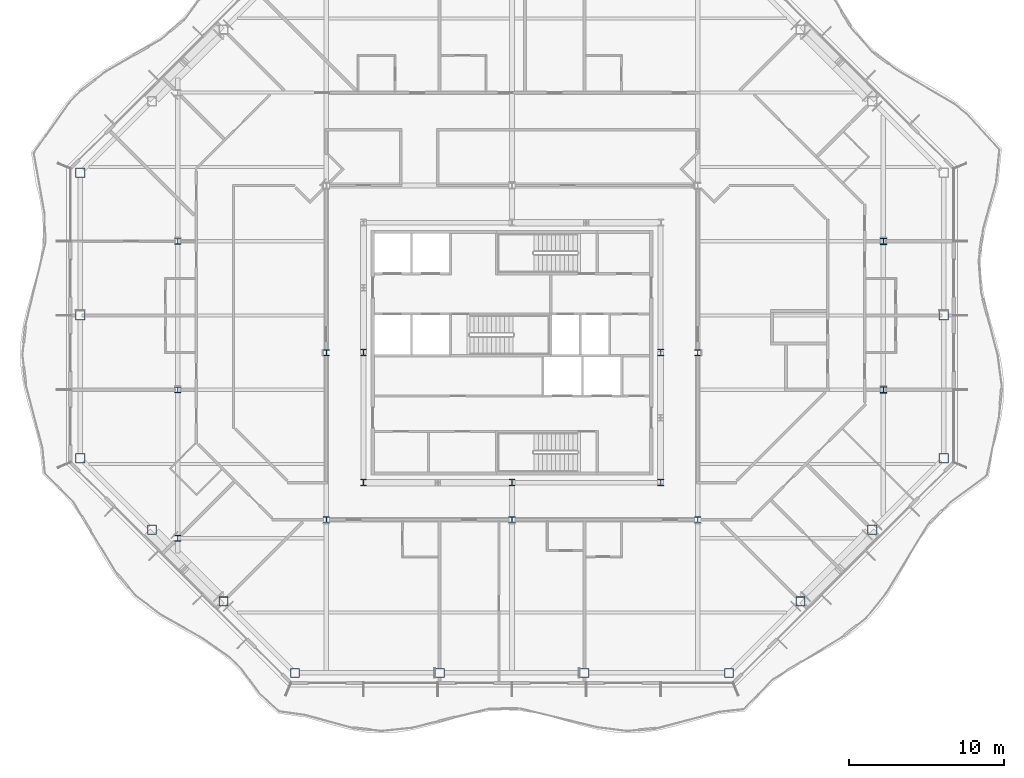
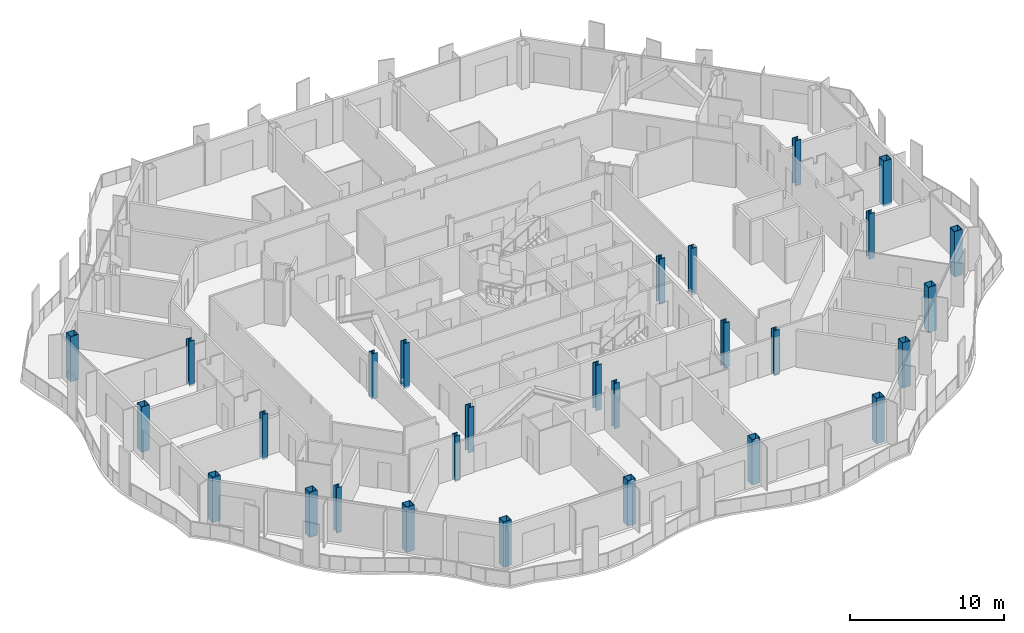
# One storey, part 1 of 21: 28 columns.
"""IFC4 building model written with IfcOpenShell, lengths in metres."""

from ifc_helpers import new_model, si_unit, direction, frame, origin, origin_2d, place, context, subcontext, project, spatial, hollow_rectangle, i_section, extrude, material, material_profile, profile_set, type_object, element, save


model = new_model("IFC4")

# Units and contexts
model_context = context("Model", 3, precision=1e-05, world=origin(), true_north=direction((0.0, 1.0)))
body_context = subcontext(model_context, "Body", "Model", "MODEL_VIEW")
ifc_project = project(units=[si_unit("LENGTHUNIT", "METRE"), si_unit("AREAUNIT", "SQUARE_METRE"), si_unit("VOLUMEUNIT", "CUBIC_METRE"), si_unit("PLANEANGLEUNIT", "RADIAN"), si_unit("MASSUNIT", "GRAM", prefix="KILO")], contexts=[model_context])

# Site, building, storey
site_placement = place(None, origin())
site = spatial("IfcSite", under=ifc_project, at=site_placement, CompositionType="ELEMENT")
building_placement = place(site_placement, origin())
building = spatial("IfcBuilding", under=site, at=building_placement, Name="Cairn Pilgrim Tower", CompositionType="ELEMENT")
storey_placement = place(building_placement, frame((0.0, 0.0, 157.800048828125)))
storey = spatial("IfcBuildingStorey", under=building, at=storey_placement, Name="L39", CompositionType="ELEMENT", Elevation=157.800048828125)

# Columns
ifc_material_1 = material(Name="Structural steel S460M", Category="steel")
ifc_material_profile_1 = material_profile(ifc_material_1, hollow_rectangle(XDim=0.60009765625, YDim=0.60009765625, WallThickness=0.034912109375, at=origin_2d()), Name="BOX 600x600x35")
ifc_profile_set_1 = profile_set([ifc_material_profile_1], Name="Structural steel S460M")
column_type_1 = type_object("IfcColumnType", Name="BOX 600x600x35", PredefinedType="COLUMN", material=ifc_profile_set_1)
for number, where, z_axis, x_axis, name in (
    (1, (-6.8271484375, -18.300048828125, -0.150146484375), (0.0, 0.0, 1.0), (1.0, 0.0, 0.0), "PC2-S1"),
    (2, (2.5244140625, -18.300048828125, -0.150146484375), (0.0, 0.0, 1.0), (1.0, 0.0, 0.0), "PC2-S2"),
    (3, (11.875732421875, -18.300048828125, -0.150146484375), (0.0, 0.0, 1.0), (1.0, 0.0, 0.0), "PC2-S3"),
    (4, (21.227294921875, -18.300048828125, -0.150146484375), (0.0, 0.0, 1.0), (1.0, 0.0, 0.0), "PC2-SE1"),
    (5, (25.8515625, -13.67578125, -0.150146484375), (0.0, 0.0, 1.0), (1.0, 0.0, 0.0), "PC2-SE2"),
    (6, (30.4755859375, -9.051513671875, -0.150146484375), (0.0, 0.0, 1.0), (1.0, 0.0, 0.0), "PC2-SE3"),
    (7, (35.10009765625, -4.42724609375, -0.150146484375), (0.0, 0.0, 1.0), (1.0, 0.0, 0.0), "PC2-E1"),
    (8, (35.10009765625, 4.800048828125, -0.150146484375), (0.0, 0.0, 1.0), (1.0, 0.0, 0.0), "PC2-E2"),
    (9, (-20.699951171875, 14.027099609375, -0.150146484375), (0.0, 0.0, 1.0), (1.0, 0.0, 0.0), "PC2-W1"),
    (10, (-20.699951171875, 4.800048828125, -0.150146484375), (0.0, 0.0, 1.0), (1.0, 0.0, 0.0), "PC2-W2"),
    (11, (-20.699951171875, -4.42724609375, -0.150146484375), (0.0, 0.0, 1.0), (1.0, 0.0, 0.0), "PC2-SW1"),
    (12, (-16.07568359375, -9.051513671875, -0.150146484375), (0.0, 0.0, 1.0), (1.0, 0.0, 0.0), "PC2-SW2"),
    (13, (-11.451416015625, -13.67578125, -0.150146484375), (0.0, 0.0, 1.0), (1.0, 0.0, 0.0), "PC2-SW3"),
):
    element("IfcColumn", number, at=place(storey_placement, frame(where, z_axis=z_axis, x_axis=x_axis)), inside=storey, type_object=column_type_1, Name=name, PredefinedType="COLUMN", context=body_context, shape_type="SweptSolid", body=[
        extrude(hollow_rectangle(XDim=0.60009765625, YDim=0.60009765625, WallThickness=0.034912109375, at=origin_2d()), origin(), (0.0, 0.0, 1.0), 3.60009765625),
    ])
ifc_material_2 = material(Name="Structural steel S355J2", Category="steel")
ifc_material_profile_2 = material_profile(ifc_material_2, i_section(OverallWidth=0.39892578125, OverallDepth=0.39306640625, WebThickness=0.022705078125, FlangeThickness=0.03662109375, FilletRadius=0.014892578125, at=origin_2d()), Name="HD 400x287")
ifc_profile_set_2 = profile_set([ifc_material_profile_2], Name="Structural steel S355J2")
column_type_2 = type_object("IfcColumnType", Name="HD 400x287", PredefinedType="COLUMN", material=ifc_profile_set_2)
for number, where, z_axis, x_axis, name in (
    (14, (-4.800048828125, -8.39990234375, -0.150146484375), (0.0, 0.0, 1.0), (1.0, 0.0, 0.0), "IC-1"),
    (15, (7.199951171875, -8.39990234375, -0.150146484375), (0.0, 0.0, 1.0), (1.0, 0.0, 0.0), "IC-2"),
    (16, (19.199951171875, -8.39990234375, -0.150146484375), (0.0, 0.0, 1.0), (1.0, 0.0, 0.0), "IC-3"),
    (17, (-4.800048828125, 2.39990234375, -0.150146484375), (0.0, 0.0, 1.0), (1.0, 0.0, 0.0), "IC-4"),
    (18, (19.199951171875, 2.39990234375, -0.150146484375), (0.0, 0.0, 1.0), (1.0, 0.0, 0.0), "IC-5"),
    (19, (-14.39990234375, -9.60009765625, -0.150146484375), (0.0, 0.0, 1.0), (1.0, 0.0, 0.0), "WC-WW-2"),
    (20, (-14.39990234375, 0.0, -0.150146484375), (0.0, 0.0, 1.0), (1.0, 0.0, 0.0), "WC-WW+0"),
    (21, (-14.39990234375, 9.60009765625, -0.150146484375), (0.0, 0.0, 1.0), (1.0, 0.0, 0.0), "WC-WW+2"),
):
    element("IfcColumn", number, at=place(storey_placement, frame(where, z_axis=z_axis, x_axis=x_axis)), inside=storey, type_object=column_type_2, Name=name, PredefinedType="COLUMN", context=body_context, shape_type="SweptSolid", body=[
        extrude(i_section(OverallWidth=0.39892578125, OverallDepth=0.39306640625, WebThickness=0.022705078125, FlangeThickness=0.03662109375, FilletRadius=0.014892578125, at=origin_2d()), origin(), (0.0, 0.0, 1.0), 3.60009765625),
    ])
ifc_material_profile_3 = material_profile(ifc_material_1, i_section(OverallWidth=0.408935546875, OverallDepth=0.425048828125, WebThickness=0.03271484375, FlangeThickness=0.052490234375, FilletRadius=0.014892578125, at=origin_2d()), Name="HD 400x421")
ifc_profile_set_3 = profile_set([ifc_material_profile_3], Name="Structural steel S460M")
column_type_3 = type_object("IfcColumnType", Name="HD 400x421", PredefinedType="COLUMN", material=ifc_profile_set_3)
for number, where, z_axis, x_axis, name in (
    (22, (31.199951171875, 0.0, -0.150146484375), (0.0, 0.0, 1.0), (1.0, 0.0, 0.0), "WC-WE+0"),
    (23, (31.199951171875, 9.60009765625, -0.150146484375), (0.0, 0.0, 1.0), (1.0, 0.0, 0.0), "WC-WE+2"),
):
    element("IfcColumn", number, at=place(storey_placement, frame(where, z_axis=z_axis, x_axis=x_axis)), inside=storey, type_object=column_type_3, Name=name, PredefinedType="COLUMN", context=body_context, shape_type="SweptSolid", body=[
        extrude(i_section(OverallWidth=0.408935546875, OverallDepth=0.425048828125, WebThickness=0.03271484375, FlangeThickness=0.052490234375, FilletRadius=0.014892578125, at=origin_2d()), origin(), (0.0, 0.0, 1.0), 3.60009765625),
    ])
ifc_material_profile_4 = material_profile(ifc_material_1, i_section(OverallWidth=0.416015625, OverallDepth=0.446044921875, WebThickness=0.0390625, FlangeThickness=0.062744140625, FilletRadius=0.014892578125, at=origin_2d()), Name="HD 400x509")
ifc_profile_set_4 = profile_set([ifc_material_profile_4], Name="Structural steel S460M")
column_type_4 = type_object("IfcColumnType", Name="HD 400x509", PredefinedType="COLUMN", material=ifc_profile_set_4)
for number, where, z_axis, x_axis, name in (
    (24, (-2.39990234375, -6.0, -0.150146484375), (0.0, 0.0, 1.0), (1.0, 0.0, 0.0), "KC-1"),
    (25, (7.199951171875, -6.0, -0.150146484375), (0.0, 0.0, 1.0), (1.0, 0.0, 0.0), "KC-2"),
    (26, (16.800048828125, -6.0, -0.150146484375), (0.0, 0.0, 1.0), (1.0, 0.0, 0.0), "KC-3"),
    (27, (-2.39990234375, 2.39990234375, -0.150146484375), (0.0, 0.0, 1.0), (1.0, 0.0, 0.0), "KC-4"),
    (28, (16.800048828125, 2.39990234375, -0.150146484375), (0.0, 0.0, 1.0), (1.0, 0.0, 0.0), "KC-5"),
):
    element("IfcColumn", number, at=place(storey_placement, frame(where, z_axis=z_axis, x_axis=x_axis)), inside=storey, type_object=column_type_4, Name=name, PredefinedType="COLUMN", context=body_context, shape_type="SweptSolid", body=[
        extrude(i_section(OverallWidth=0.416015625, OverallDepth=0.446044921875, WebThickness=0.0390625, FlangeThickness=0.062744140625, FilletRadius=0.014892578125, at=origin_2d()), origin(), (0.0, 0.0, 1.0), 3.60009765625),
    ])

save(model, "model.ifc")
